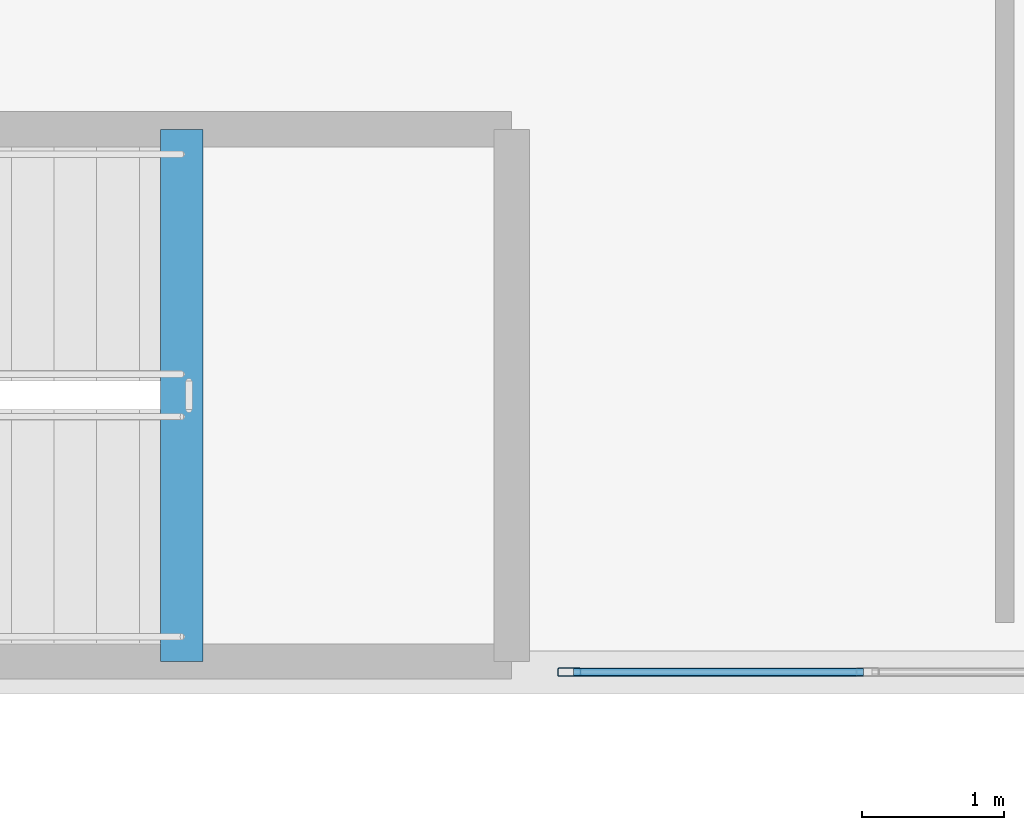
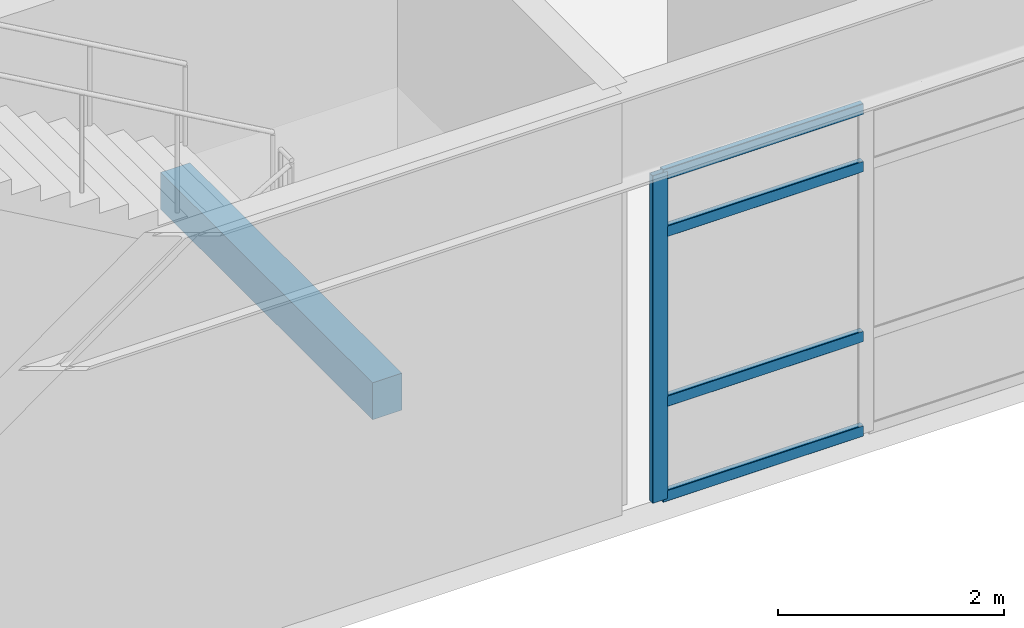
# One storey, part 25 of 154: 5 members, 1 beam, 1 element without a shape of its own.
"""IFC4 building model written with IfcOpenShell, lengths in metres."""

from ifc_helpers import new_model, si_unit, direction, frame, origin, origin_2d, place, context, subcontext, project, spatial, rectangle, hollow_rectangle, extrude, material, layer, layer_set, material_profile, profile_set, type_object, element, aggregate, save


model = new_model("IFC4")

# Units and contexts
model_context = context("Model", 3, precision=1e-05, world=origin(), true_north=direction((0.0, 1.0)))
body_context = subcontext(model_context, "Body", "Model", "MODEL_VIEW")
ifc_project = project(units=[si_unit("LENGTHUNIT", "METRE"), si_unit("AREAUNIT", "SQUARE_METRE"), si_unit("VOLUMEUNIT", "CUBIC_METRE"), si_unit("PLANEANGLEUNIT", "RADIAN"), si_unit("MASSUNIT", "GRAM", prefix="KILO")], contexts=[model_context])

# Site, building, storey
site_placement = place(None, origin())
site = spatial("IfcSite", under=ifc_project, at=site_placement, CompositionType="ELEMENT")
building_placement = place(site_placement, origin())
building = spatial("IfcBuilding", under=site, at=building_placement, Name="Kazehara Bluff Congress Hotel", CompositionType="ELEMENT")
storey_placement = place(building_placement, frame((0.0, 0.0, 10.199951171875)))
storey = spatial("IfcBuildingStorey", under=building, at=storey_placement, Name="L02", CompositionType="ELEMENT", Elevation=10.199951171875)

# Curtain wall, members
ifc_material_1 = material(Name="Anodised aluminium", Category="aluminium")
ifc_layer = layer(ifc_material_1, 0.159912109375)
ifc_layer_set = layer_set([ifc_layer], Name="Anodised aluminium")
curtain_wall_type = type_object("IfcCurtainWallType", Name="TP-CW-14", PredefinedType="NOTDEFINED", material=ifc_layer_set)
curtain_wall_placement = place(storey_placement, origin())
curtain_wall = element("IfcCurtainWall", 1, at=curtain_wall_placement, inside=storey, type_object=curtain_wall_type, Name="L02 curtain wall CW-14 CW-V1-L02-Y4845-1840", PredefinedType="NOTDEFINED")
ifc_material_2 = material(Name="Anodised aluminium", Category="aluminium")
ifc_material_profile_1 = material_profile(ifc_material_2, hollow_rectangle(XDim=0.06005859375, YDim=0.159912109375, WallThickness=0.00390625, InnerFilletRadius=0.00390625, OuterFilletRadius=0.008056640625, at=origin_2d()))
ifc_profile_set_1 = profile_set([ifc_material_profile_1], Name="Anodised aluminium")
member_type_1 = type_object("IfcMemberType", Name="TP-CWM-01", PredefinedType="MULLION", material=ifc_profile_set_1)
member_1_placement = place(storey_placement, frame((18.429931640625, 48.449951171875, 0.0), z_axis=(0.0, 0.0, 1.0), x_axis=(0.0, 1.0, 0.0)))
member_1 = element("IfcMember", 2, at=member_1_placement, type_object=member_type_1, Name="CW-14 mullion 1", PredefinedType="MULLION", context=body_context, shape_type="SweptSolid", body=[
    extrude(hollow_rectangle(XDim=0.06005859375, YDim=0.159912109375, WallThickness=0.00390625, InnerFilletRadius=0.00390625, OuterFilletRadius=0.008056640625, at=origin_2d()), origin(), (0.0, 0.0, 1.0), 3.53515625),
])
ifc_material_3 = material(Name="Anodised aluminium", Category="aluminium")
ifc_material_profile_2 = material_profile(ifc_material_3, hollow_rectangle(XDim=0.06005859375, YDim=0.1201171875, WallThickness=0.00390625, InnerFilletRadius=0.00390625, OuterFilletRadius=0.008056640625, at=origin_2d()))
ifc_profile_set_2 = profile_set([ifc_material_profile_2], Name="Anodised aluminium")
member_type_2 = type_object("IfcMemberType", Name="TP-CWT-01", PredefinedType="USERDEFINED", material=ifc_profile_set_2)
member_2_placement = place(storey_placement, frame((18.4599609375, 48.449951171875, 0.030029296875), z_axis=(1.0, 0.0, 0.0), x_axis=(0.0, 1.0, 0.0)))
member_2 = element("IfcMember", 3, at=member_2_placement, type_object=member_type_2, Name="CW-14 transom 1.1", ObjectType="TRANSOM", PredefinedType="USERDEFINED", context=body_context, shape_type="SweptSolid", body=[
    extrude(hollow_rectangle(XDim=0.06005859375, YDim=0.1201171875, WallThickness=0.00390625, InnerFilletRadius=0.00390625, OuterFilletRadius=0.008056640625, at=origin_2d()), origin(), (0.0, 0.0, 1.0), 2.04345703125),
])
member_3_placement = place(storey_placement, frame((18.4599609375, 48.449951171875, 1.050048828125), z_axis=(1.0, 0.0, 0.0), x_axis=(0.0, 1.0, 0.0)))
member_3 = element("IfcMember", 4, at=member_3_placement, type_object=member_type_2, Name="CW-14 transom 1.2", ObjectType="TRANSOM", PredefinedType="USERDEFINED", context=body_context, shape_type="SweptSolid", body=[
    extrude(hollow_rectangle(XDim=0.06005859375, YDim=0.1201171875, WallThickness=0.00390625, InnerFilletRadius=0.00390625, OuterFilletRadius=0.008056640625, at=origin_2d()), origin(), (0.0, 0.0, 1.0), 2.04345703125),
])
member_4_placement = place(storey_placement, frame((18.4599609375, 48.449951171875, 2.885009765625), z_axis=(1.0, 0.0, 0.0), x_axis=(0.0, 1.0, 0.0)))
member_4 = element("IfcMember", 5, at=member_4_placement, type_object=member_type_2, Name="CW-14 transom 1.3", ObjectType="TRANSOM", PredefinedType="USERDEFINED", context=body_context, shape_type="SweptSolid", body=[
    extrude(hollow_rectangle(XDim=0.06005859375, YDim=0.1201171875, WallThickness=0.00390625, InnerFilletRadius=0.00390625, OuterFilletRadius=0.008056640625, at=origin_2d()), origin(), (0.0, 0.0, 1.0), 2.04345703125),
])
member_5_placement = place(storey_placement, frame((18.4599609375, 48.449951171875, 3.505126953125), z_axis=(1.0, 0.0, 0.0), x_axis=(0.0, 1.0, 0.0)))
member_5 = element("IfcMember", 6, at=member_5_placement, type_object=member_type_2, Name="CW-14 transom 1.4", ObjectType="TRANSOM", PredefinedType="USERDEFINED", context=body_context, shape_type="SweptSolid", body=[
    extrude(hollow_rectangle(XDim=0.06005859375, YDim=0.1201171875, WallThickness=0.00390625, InnerFilletRadius=0.00390625, OuterFilletRadius=0.008056640625, at=origin_2d()), origin(), (0.0, 0.0, 1.0), 2.04345703125),
])
aggregate(curtain_wall, [member_1, member_2, member_3, member_4, member_5])

# Beam
ifc_material_4 = material(Name="Concrete C40/50", Category="concrete")
ifc_material_profile_3 = material_profile(ifc_material_4, rectangle(XDim=0.300048828125, YDim=0.39990234375, at=origin_2d()))
ifc_profile_set_3 = profile_set([ifc_material_profile_3], Name="Concrete C40/50")
beam_type = type_object("IfcBeamType", Name="TP-LN-02", PredefinedType="LINTEL", material=ifc_profile_set_3)
beam_placement = place(storey_placement, frame((15.699951171875, 48.52490234375, 2.02001953125), z_axis=(0.0, 1.0, 0.0), x_axis=(-1.0, 0.0, 0.0)))
element("IfcBeam", 7, at=beam_placement, inside=storey, type_object=beam_type, Name="L02 ST-03 half-landing support beam 1", PredefinedType="LINTEL", context=body_context, shape_type="SweptSolid", body=[
    extrude(rectangle(XDim=0.300048828125, YDim=0.39990234375, at=origin_2d()), origin(), (0.0, 0.0, 1.0), 3.75),
])

save(model, "model.ifc")
